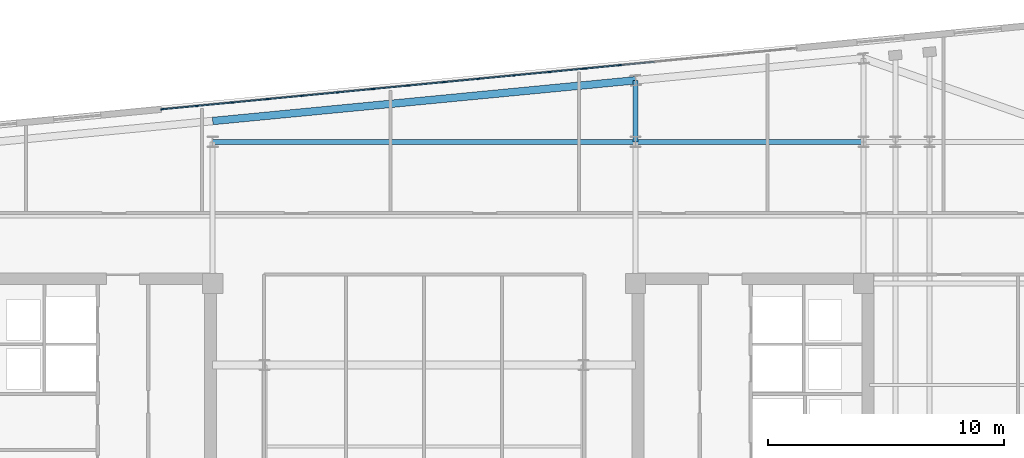
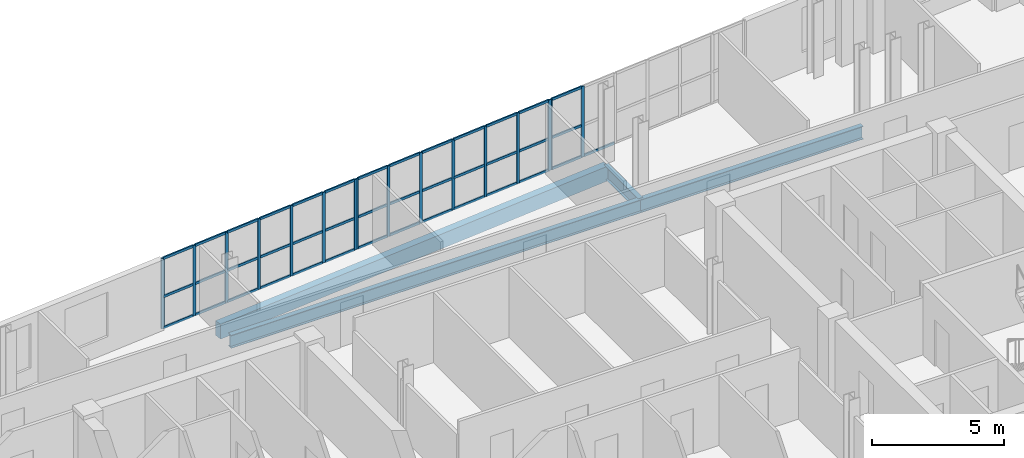
# One storey, part 3 of 11: 56 members, 4 beams, 3 elements without a shape of their own.
"""IFC4 building model written with IfcOpenShell, lengths in metres."""

from ifc_helpers import new_model, si_unit, direction, frame, origin, origin_2d, place, context, subcontext, project, spatial, rectangle, i_section, extrude, material, layer, layer_set, material_profile, profile_set, type_object, element, aggregate, save


model = new_model("IFC4")

# Units and contexts
model_context = context("Model", 3, precision=1e-05, world=origin(), true_north=direction((0.0, 1.0)))
body_context = subcontext(model_context, "Body", "Model", "MODEL_VIEW")
ifc_project = project(units=[si_unit("LENGTHUNIT", "METRE"), si_unit("AREAUNIT", "SQUARE_METRE"), si_unit("VOLUMEUNIT", "CUBIC_METRE"), si_unit("PLANEANGLEUNIT", "RADIAN"), si_unit("MASSUNIT", "GRAM", prefix="KILO")], contexts=[model_context])

# Site, building, storey
site_placement = place(None, origin())
site = spatial("IfcSite", under=ifc_project, at=site_placement, CompositionType="ELEMENT")
building_placement = place(site_placement, origin())
building = spatial("IfcBuilding", under=site, at=building_placement, Name="Velakula Bourse", CompositionType="ELEMENT")
storey_placement = place(building_placement, frame((0.0, 0.0, 279.300048828125)))
storey = spatial("IfcBuildingStorey", under=building, at=storey_placement, Name="L76", CompositionType="ELEMENT", Elevation=279.300048828125)

# Beams
ifc_material_1 = material(Name="Steel IS 2062 Grade 350 (E350)", Category="steel")
ifc_material_profile_1 = material_profile(ifc_material_1, i_section(OverallWidth=0.2099609375, OverallDepth=0.60009765625, WebThickness=0.011962890625, FlangeThickness=0.020751953125, at=origin_2d()), Name="Steel IS 2062 Grade 350 (E350)")
ifc_profile_set_1 = profile_set([ifc_material_profile_1], Name="Steel IS 2062 Grade 350 (E350)")
beam_type_1 = type_object("IfcBeamType", Name="BM-GRD-600L", PredefinedType="BEAM", material=ifc_profile_set_1)
beam_1_placement = place(storey_placement, frame((-8.949951171875, 14.60009765625, -0.47998046875), z_axis=(1.0, 0.0, 0.0), x_axis=(0.0, 1.0, 0.0)))
element("IfcBeam", 1, at=beam_1_placement, inside=storey, type_object=beam_type_1, Name="L76 Fulcrum Grid Girder FLC-N2", PredefinedType="BEAM", context=body_context, shape_type="SweptSolid", body=[
    extrude(i_section(OverallWidth=0.2099609375, OverallDepth=0.60009765625, WebThickness=0.011962890625, FlangeThickness=0.020751953125, at=origin_2d()), origin(), (0.0, 0.0, 1.0), 17.89990234375),
])
beam_2_placement = place(storey_placement, frame((8.949951171875, 14.60009765625, -0.47998046875), z_axis=(1.0, 0.0, 0.0), x_axis=(0.0, 1.0, 0.0)))
element("IfcBeam", 2, at=beam_2_placement, inside=storey, type_object=beam_type_1, Name="L76 Fulcrum Grid Girder FLC-N3", PredefinedType="BEAM", context=body_context, shape_type="SweptSolid", body=[
    extrude(i_section(OverallWidth=0.2099609375, OverallDepth=0.60009765625, WebThickness=0.011962890625, FlangeThickness=0.020751953125, at=origin_2d()), origin(), (0.0, 0.0, 1.0), 9.650146484375),
])
beam_3_placement = place(storey_placement, frame((8.949951171875, 14.60009765625, -0.47998046875), z_axis=(0.0, 1.0, 0.0), x_axis=(-1.0, 0.0, 0.0)))
element("IfcBeam", 3, at=beam_3_placement, inside=storey, type_object=beam_type_1, Name="L76 Perimeter Tie Girder N3", PredefinedType="BEAM", context=body_context, shape_type="SweptSolid", body=[
    extrude(i_section(OverallWidth=0.2099609375, OverallDepth=0.60009765625, WebThickness=0.011962890625, FlangeThickness=0.020751953125, at=origin_2d()), origin(), (0.0, 0.0, 1.0), 2.6044921875),
])

# Curtain wall, members
ifc_material_2 = material(Name="Anodised bronze architectural aluminium", Category="aluminium")
ifc_layer = layer(ifc_material_2, 0.1298828125, Name="Anodised bronze architectural aluminium", Category="aluminium")
ifc_layer_set = layer_set([ifc_layer], Name="Anodised bronze architectural aluminium")
curtain_wall_type = type_object("IfcCurtainWallType", Name="CW-OB1", PredefinedType="NOTDEFINED", material=ifc_layer_set)
curtain_wall_1_placement = place(storey_placement, origin())
curtain_wall_1 = element("IfcCurtainWall", 4, at=curtain_wall_1_placement, inside=storey, type_object=curtain_wall_type, Name="L76 Public Observation Panoramic Curtain Wall B2", PredefinedType="NOTDEFINED")
ifc_material_profile_2 = material_profile(ifc_material_2, rectangle(XDim=0.06005859375, YDim=0.1298828125, at=origin_2d()), Name="Anodised bronze architectural aluminium")
ifc_profile_set_2 = profile_set([ifc_material_profile_2], Name="Anodised bronze architectural aluminium")
member_type_1 = type_object("IfcMemberType", Name="MUL-CW-OB1", PredefinedType="MULLION", material=ifc_profile_set_2)
member_1_placement = place(storey_placement, frame((-11.090087890625, 15.978271484375, 0.0), z_axis=(0.0, 0.0, 1.0), x_axis=(-0.095845153814, 0.995396256016, 0.0)))
member_1 = element("IfcMember", 5, at=member_1_placement, type_object=member_type_1, Name="CW-OB1 mullion 1", PredefinedType="MULLION", context=body_context, shape_type="SweptSolid", body=[
    extrude(rectangle(XDim=0.06005859375, YDim=0.1298828125, at=origin_2d()), origin(), (0.0, 0.0, 1.0), 3.25),
])
member_2_placement = place(storey_placement, frame((-9.626708984375, 16.119140625, 0.0), z_axis=(0.0, 0.0, 1.0), x_axis=(-0.095845153814, 0.995396256016, 0.0)))
member_2 = element("IfcMember", 6, at=member_2_placement, type_object=member_type_1, Name="CW-OB1 mullion 2", PredefinedType="MULLION", context=body_context, shape_type="SweptSolid", body=[
    extrude(rectangle(XDim=0.06005859375, YDim=0.1298828125, at=origin_2d()), origin(), (0.0, 0.0, 1.0), 3.25),
])
member_3_placement = place(storey_placement, frame((-8.1337890625, 16.262939453125, 0.0), z_axis=(0.0, 0.0, 1.0), x_axis=(-0.095845153814, 0.995396256016, 0.0)))
member_3 = element("IfcMember", 7, at=member_3_placement, type_object=member_type_1, Name="CW-OB1 mullion 3", PredefinedType="MULLION", context=body_context, shape_type="SweptSolid", body=[
    extrude(rectangle(XDim=0.06005859375, YDim=0.1298828125, at=origin_2d()), origin(), (0.0, 0.0, 1.0), 3.25),
])
member_4_placement = place(storey_placement, frame((-6.640625, 16.406494140625, 0.0), z_axis=(0.0, 0.0, 1.0), x_axis=(-0.095845153814, 0.995396256016, 0.0)))
member_4 = element("IfcMember", 8, at=member_4_placement, type_object=member_type_1, Name="CW-OB1 mullion 4", PredefinedType="MULLION", context=body_context, shape_type="SweptSolid", body=[
    extrude(rectangle(XDim=0.06005859375, YDim=0.1298828125, at=origin_2d()), origin(), (0.0, 0.0, 1.0), 3.25),
])
member_5_placement = place(storey_placement, frame((-5.1474609375, 16.55029296875, 0.0), z_axis=(0.0, 0.0, 1.0), x_axis=(-0.095845153814, 0.995396256016, 0.0)))
member_5 = element("IfcMember", 9, at=member_5_placement, type_object=member_type_1, Name="CW-OB1 mullion 5", PredefinedType="MULLION", context=body_context, shape_type="SweptSolid", body=[
    extrude(rectangle(XDim=0.06005859375, YDim=0.1298828125, at=origin_2d()), origin(), (0.0, 0.0, 1.0), 3.25),
])
member_6_placement = place(storey_placement, frame((-3.654541015625, 16.694091796875, 0.0), z_axis=(0.0, 0.0, 1.0), x_axis=(-0.095845153814, 0.995396256016, 0.0)))
member_6 = element("IfcMember", 10, at=member_6_placement, type_object=member_type_1, Name="CW-OB1 mullion 6", PredefinedType="MULLION", context=body_context, shape_type="SweptSolid", body=[
    extrude(rectangle(XDim=0.06005859375, YDim=0.1298828125, at=origin_2d()), origin(), (0.0, 0.0, 1.0), 3.25),
])
member_7_placement = place(storey_placement, frame((-2.191162109375, 16.8349609375, 0.0), z_axis=(0.0, 0.0, 1.0), x_axis=(-0.095845153814, 0.995396256016, 0.0)))
member_7 = element("IfcMember", 11, at=member_7_placement, type_object=member_type_1, Name="CW-OB1 mullion 7", PredefinedType="MULLION", context=body_context, shape_type="SweptSolid", body=[
    extrude(rectangle(XDim=0.06005859375, YDim=0.1298828125, at=origin_2d()), origin(), (0.0, 0.0, 1.0), 3.25),
])

curtain_wall_2_placement = place(storey_placement, origin())
curtain_wall_2 = element("IfcCurtainWall", 12, at=curtain_wall_2_placement, inside=storey, type_object=curtain_wall_type, Name="L76 Public Observation Panoramic Curtain Wall B3", PredefinedType="NOTDEFINED")
member_8_placement = place(storey_placement, frame((-2.131591796875, 16.8408203125, 0.0), z_axis=(0.0, 0.0, 1.0), x_axis=(-0.095844093769, 0.995396358085, 0.0)))
member_8 = element("IfcMember", 13, at=member_8_placement, type_object=member_type_1, Name="CW-OB1 mullion 1", PredefinedType="MULLION", context=body_context, shape_type="SweptSolid", body=[
    extrude(rectangle(XDim=0.06005859375, YDim=0.1298828125, at=origin_2d()), origin(), (0.0, 0.0, 1.0), 3.25),
])
member_9_placement = place(storey_placement, frame((-0.668212890625, 16.981689453125, 0.0), z_axis=(0.0, 0.0, 1.0), x_axis=(-0.095844093769, 0.995396358085, 0.0)))
member_9 = element("IfcMember", 14, at=member_9_placement, type_object=member_type_1, Name="CW-OB1 mullion 2", PredefinedType="MULLION", context=body_context, shape_type="SweptSolid", body=[
    extrude(rectangle(XDim=0.06005859375, YDim=0.1298828125, at=origin_2d()), origin(), (0.0, 0.0, 1.0), 3.25),
])
member_10_placement = place(storey_placement, frame((0.82470703125, 17.12548828125, 0.0), z_axis=(0.0, 0.0, 1.0), x_axis=(-0.095844093769, 0.995396358085, 0.0)))
member_10 = element("IfcMember", 15, at=member_10_placement, type_object=member_type_1, Name="CW-OB1 mullion 3", PredefinedType="MULLION", context=body_context, shape_type="SweptSolid", body=[
    extrude(rectangle(XDim=0.06005859375, YDim=0.1298828125, at=origin_2d()), origin(), (0.0, 0.0, 1.0), 3.25),
])
member_11_placement = place(storey_placement, frame((2.31787109375, 17.269287109375, 0.0), z_axis=(0.0, 0.0, 1.0), x_axis=(-0.095844093769, 0.995396358085, 0.0)))
member_11 = element("IfcMember", 16, at=member_11_placement, type_object=member_type_1, Name="CW-OB1 mullion 4", PredefinedType="MULLION", context=body_context, shape_type="SweptSolid", body=[
    extrude(rectangle(XDim=0.06005859375, YDim=0.1298828125, at=origin_2d()), origin(), (0.0, 0.0, 1.0), 3.25),
])
member_12_placement = place(storey_placement, frame((3.81103515625, 17.4130859375, 0.0), z_axis=(0.0, 0.0, 1.0), x_axis=(-0.095844093769, 0.995396358085, 0.0)))
member_12 = element("IfcMember", 17, at=member_12_placement, type_object=member_type_1, Name="CW-OB1 mullion 5", PredefinedType="MULLION", context=body_context, shape_type="SweptSolid", body=[
    extrude(rectangle(XDim=0.06005859375, YDim=0.1298828125, at=origin_2d()), origin(), (0.0, 0.0, 1.0), 3.25),
])
member_13_placement = place(storey_placement, frame((5.30419921875, 17.556640625, 0.0), z_axis=(0.0, 0.0, 1.0), x_axis=(-0.095844093769, 0.995396358085, 0.0)))
member_13 = element("IfcMember", 18, at=member_13_placement, type_object=member_type_1, Name="CW-OB1 mullion 6", PredefinedType="MULLION", context=body_context, shape_type="SweptSolid", body=[
    extrude(rectangle(XDim=0.06005859375, YDim=0.1298828125, at=origin_2d()), origin(), (0.0, 0.0, 1.0), 3.25),
])
member_14_placement = place(storey_placement, frame((6.767333984375, 17.697509765625, 0.0), z_axis=(0.0, 0.0, 1.0), x_axis=(-0.095844093769, 0.995396358085, 0.0)))
member_14 = element("IfcMember", 19, at=member_14_placement, type_object=member_type_1, Name="CW-OB1 mullion 7", PredefinedType="MULLION", context=body_context, shape_type="SweptSolid", body=[
    extrude(rectangle(XDim=0.06005859375, YDim=0.1298828125, at=origin_2d()), origin(), (0.0, 0.0, 1.0), 3.25),
])

curtain_wall_3_placement = place(storey_placement, origin())
curtain_wall_3 = element("IfcCurtainWall", 20, at=curtain_wall_3_placement, inside=storey, type_object=curtain_wall_type, Name="L76 Public Observation Panoramic Curtain Wall B4", PredefinedType="NOTDEFINED")
member_15_placement = place(storey_placement, frame((6.8271484375, 17.703369140625, 0.0), z_axis=(0.0, 0.0, 1.0), x_axis=(-0.095844093769, 0.995396358085, 0.0)))
member_15 = element("IfcMember", 21, at=member_15_placement, type_object=member_type_1, Name="CW-OB1 mullion 1", PredefinedType="MULLION", context=body_context, shape_type="SweptSolid", body=[
    extrude(rectangle(XDim=0.06005859375, YDim=0.1298828125, at=origin_2d()), origin(), (0.0, 0.0, 1.0), 3.25),
])
member_16_placement = place(storey_placement, frame((8.290283203125, 17.84423828125, 0.0), z_axis=(0.0, 0.0, 1.0), x_axis=(-0.095844093769, 0.995396358085, 0.0)))
member_16 = element("IfcMember", 22, at=member_16_placement, type_object=member_type_1, Name="CW-OB1 mullion 2", PredefinedType="MULLION", context=body_context, shape_type="SweptSolid", body=[
    extrude(rectangle(XDim=0.06005859375, YDim=0.1298828125, at=origin_2d()), origin(), (0.0, 0.0, 1.0), 3.25),
])

# Beam
ifc_material_3 = material(Name="Precast concrete M45 (fck 45 MPa)", Category="concrete")
ifc_material_profile_3 = material_profile(ifc_material_3, rectangle(XDim=0.320068359375, YDim=0.679931640625, at=origin_2d()), Name="Precast concrete M45 (fck 45 MPa)")
ifc_profile_set_3 = profile_set([ifc_material_profile_3], Name="Precast concrete M45 (fck 45 MPa)")
beam_type_2 = type_object("IfcBeamType", Name="SPN-BRICK-680", PredefinedType="SPANDREL", material=ifc_profile_set_3)
beam_4_placement = place(storey_placement, frame((-8.949951171875, 15.48095703125, -0.52001953125), z_axis=(0.995395836254, 0.095849513134, 0.0), x_axis=(-0.095849513134, 0.995395836254, 0.0)))
element("IfcBeam", 23, at=beam_4_placement, inside=storey, type_object=beam_type_2, Name="L76 Brick-Faced Precast Spandrel N2-N3", PredefinedType="SPANDREL", context=body_context, shape_type="SweptSolid", body=[
    extrude(rectangle(XDim=0.320068359375, YDim=0.679931640625, at=origin_2d()), origin(), (0.0, 0.0, 1.0), 17.982666015625),
])

# Member
ifc_material_profile_4 = material_profile(ifc_material_2, rectangle(XDim=0.06005859375, YDim=0.114990234375, at=origin_2d()), Name="Anodised bronze architectural aluminium")
ifc_profile_set_4 = profile_set([ifc_material_profile_4], Name="Anodised bronze architectural aluminium")
member_type_2 = type_object("IfcMemberType", Name="TRN-CW-OB1", PredefinedType="USERDEFINED", material=ifc_profile_set_4)
member_17_placement = place(storey_placement, frame((-11.06005859375, 15.98095703125, 0.030029296875), z_axis=(0.995387428813, 0.095936784197, 0.0), x_axis=(-0.095936784197, 0.995387428813, 0.0)))
member_17 = element("IfcMember", 24, at=member_17_placement, type_object=member_type_2, Name="CW-OB1 transom 1.1", ObjectType="TRANSOM", PredefinedType="USERDEFINED", context=body_context, shape_type="SweptSolid", body=[
    extrude(rectangle(XDim=0.06005859375, YDim=0.114990234375, at=origin_2d()), origin(), (0.0, 0.0, 1.0), 1.409912109375),
])

member_18_placement = place(storey_placement, frame((-11.06005859375, 15.98095703125, 1.46240234375), z_axis=(0.995387428813, 0.095936784197, 0.0), x_axis=(-0.095936784197, 0.995387428813, 0.0)))
member_18 = element("IfcMember", 25, at=member_18_placement, type_object=member_type_2, Name="CW-OB1 transom 1.2", ObjectType="TRANSOM", PredefinedType="USERDEFINED", context=body_context, shape_type="SweptSolid", body=[
    extrude(rectangle(XDim=0.06005859375, YDim=0.114990234375, at=origin_2d()), origin(), (0.0, 0.0, 1.0), 1.409912109375),
])

member_19_placement = place(storey_placement, frame((-11.06005859375, 15.98095703125, 3.219970703125), z_axis=(0.995387428813, 0.095936784197, 0.0), x_axis=(-0.095936784197, 0.995387428813, 0.0)))
member_19 = element("IfcMember", 26, at=member_19_placement, type_object=member_type_2, Name="CW-OB1 transom 1.3", ObjectType="TRANSOM", PredefinedType="USERDEFINED", context=body_context, shape_type="SweptSolid", body=[
    extrude(rectangle(XDim=0.06005859375, YDim=0.114990234375, at=origin_2d()), origin(), (0.0, 0.0, 1.0), 1.409912109375),
])

member_20_placement = place(storey_placement, frame((-9.596923828125, 16.121826171875, 0.030029296875), z_axis=(0.995385079392, 0.095961157373, 0.0), x_axis=(-0.095961157373, 0.995385079392, 0.0)))
member_20 = element("IfcMember", 27, at=member_20_placement, type_object=member_type_2, Name="CW-OB1 transom 2.1", ObjectType="TRANSOM", PredefinedType="USERDEFINED", context=body_context, shape_type="SweptSolid", body=[
    extrude(rectangle(XDim=0.06005859375, YDim=0.114990234375, at=origin_2d()), origin(), (0.0, 0.0, 1.0), 1.43994140625),
])

member_21_placement = place(storey_placement, frame((-9.596923828125, 16.121826171875, 1.46240234375), z_axis=(0.995385079392, 0.095961157373, 0.0), x_axis=(-0.095961157373, 0.995385079392, 0.0)))
member_21 = element("IfcMember", 28, at=member_21_placement, type_object=member_type_2, Name="CW-OB1 transom 2.2", ObjectType="TRANSOM", PredefinedType="USERDEFINED", context=body_context, shape_type="SweptSolid", body=[
    extrude(rectangle(XDim=0.06005859375, YDim=0.114990234375, at=origin_2d()), origin(), (0.0, 0.0, 1.0), 1.43994140625),
])

member_22_placement = place(storey_placement, frame((-9.596923828125, 16.121826171875, 3.219970703125), z_axis=(0.995385079392, 0.095961157373, 0.0), x_axis=(-0.095961157373, 0.995385079392, 0.0)))
member_22 = element("IfcMember", 29, at=member_22_placement, type_object=member_type_2, Name="CW-OB1 transom 2.3", ObjectType="TRANSOM", PredefinedType="USERDEFINED", context=body_context, shape_type="SweptSolid", body=[
    extrude(rectangle(XDim=0.06005859375, YDim=0.114990234375, at=origin_2d()), origin(), (0.0, 0.0, 1.0), 1.43994140625),
])

member_23_placement = place(storey_placement, frame((-8.103759765625, 16.265625, 0.030029296875), z_axis=(0.995385079392, 0.095961157373, 0.0), x_axis=(-0.095961157373, 0.995385079392, 0.0)))
member_23 = element("IfcMember", 30, at=member_23_placement, type_object=member_type_2, Name="CW-OB1 transom 3.1", ObjectType="TRANSOM", PredefinedType="USERDEFINED", context=body_context, shape_type="SweptSolid", body=[
    extrude(rectangle(XDim=0.06005859375, YDim=0.114990234375, at=origin_2d()), origin(), (0.0, 0.0, 1.0), 1.43994140625),
])

member_24_placement = place(storey_placement, frame((-8.103759765625, 16.265625, 1.46240234375), z_axis=(0.995385079392, 0.095961157373, 0.0), x_axis=(-0.095961157373, 0.995385079392, 0.0)))
member_24 = element("IfcMember", 31, at=member_24_placement, type_object=member_type_2, Name="CW-OB1 transom 3.2", ObjectType="TRANSOM", PredefinedType="USERDEFINED", context=body_context, shape_type="SweptSolid", body=[
    extrude(rectangle(XDim=0.06005859375, YDim=0.114990234375, at=origin_2d()), origin(), (0.0, 0.0, 1.0), 1.43994140625),
])

member_25_placement = place(storey_placement, frame((-8.103759765625, 16.265625, 3.219970703125), z_axis=(0.995385079392, 0.095961157373, 0.0), x_axis=(-0.095961157373, 0.995385079392, 0.0)))
member_25 = element("IfcMember", 32, at=member_25_placement, type_object=member_type_2, Name="CW-OB1 transom 3.3", ObjectType="TRANSOM", PredefinedType="USERDEFINED", context=body_context, shape_type="SweptSolid", body=[
    extrude(rectangle(XDim=0.06005859375, YDim=0.114990234375, at=origin_2d()), origin(), (0.0, 0.0, 1.0), 1.43994140625),
])

member_26_placement = place(storey_placement, frame((-6.61083984375, 16.409423828125, 0.030029296875), z_axis=(0.995385079392, 0.095961157373, 0.0), x_axis=(-0.095961157373, 0.995385079392, 0.0)))
member_26 = element("IfcMember", 33, at=member_26_placement, type_object=member_type_2, Name="CW-OB1 transom 4.1", ObjectType="TRANSOM", PredefinedType="USERDEFINED", context=body_context, shape_type="SweptSolid", body=[
    extrude(rectangle(XDim=0.06005859375, YDim=0.114990234375, at=origin_2d()), origin(), (0.0, 0.0, 1.0), 1.43994140625),
])

member_27_placement = place(storey_placement, frame((-6.61083984375, 16.409423828125, 1.46240234375), z_axis=(0.995385079392, 0.095961157373, 0.0), x_axis=(-0.095961157373, 0.995385079392, 0.0)))
member_27 = element("IfcMember", 34, at=member_27_placement, type_object=member_type_2, Name="CW-OB1 transom 4.2", ObjectType="TRANSOM", PredefinedType="USERDEFINED", context=body_context, shape_type="SweptSolid", body=[
    extrude(rectangle(XDim=0.06005859375, YDim=0.114990234375, at=origin_2d()), origin(), (0.0, 0.0, 1.0), 1.43994140625),
])

member_28_placement = place(storey_placement, frame((-6.61083984375, 16.409423828125, 3.219970703125), z_axis=(0.995385079392, 0.095961157373, 0.0), x_axis=(-0.095961157373, 0.995385079392, 0.0)))
member_28 = element("IfcMember", 35, at=member_28_placement, type_object=member_type_2, Name="CW-OB1 transom 4.3", ObjectType="TRANSOM", PredefinedType="USERDEFINED", context=body_context, shape_type="SweptSolid", body=[
    extrude(rectangle(XDim=0.06005859375, YDim=0.114990234375, at=origin_2d()), origin(), (0.0, 0.0, 1.0), 1.43994140625),
])

member_29_placement = place(storey_placement, frame((-5.11767578125, 16.55322265625, 0.030029296875), z_axis=(0.99540125991, 0.095793171836, 0.0), x_axis=(-0.095793171836, 0.99540125991, 0.0)))
member_29 = element("IfcMember", 36, at=member_29_placement, type_object=member_type_2, Name="CW-OB1 transom 5.1", ObjectType="TRANSOM", PredefinedType="USERDEFINED", context=body_context, shape_type="SweptSolid", body=[
    extrude(rectangle(XDim=0.06005859375, YDim=0.114990234375, at=origin_2d()), origin(), (0.0, 0.0, 1.0), 1.43994140625),
])

member_30_placement = place(storey_placement, frame((-5.11767578125, 16.55322265625, 1.46240234375), z_axis=(0.99540125991, 0.095793171836, 0.0), x_axis=(-0.095793171836, 0.99540125991, 0.0)))
member_30 = element("IfcMember", 37, at=member_30_placement, type_object=member_type_2, Name="CW-OB1 transom 5.2", ObjectType="TRANSOM", PredefinedType="USERDEFINED", context=body_context, shape_type="SweptSolid", body=[
    extrude(rectangle(XDim=0.06005859375, YDim=0.114990234375, at=origin_2d()), origin(), (0.0, 0.0, 1.0), 1.43994140625),
])

member_31_placement = place(storey_placement, frame((-5.11767578125, 16.55322265625, 3.219970703125), z_axis=(0.99540125991, 0.095793171836, 0.0), x_axis=(-0.095793171836, 0.99540125991, 0.0)))
member_31 = element("IfcMember", 38, at=member_31_placement, type_object=member_type_2, Name="CW-OB1 transom 5.3", ObjectType="TRANSOM", PredefinedType="USERDEFINED", context=body_context, shape_type="SweptSolid", body=[
    extrude(rectangle(XDim=0.06005859375, YDim=0.114990234375, at=origin_2d()), origin(), (0.0, 0.0, 1.0), 1.43994140625),
])

member_32_placement = place(storey_placement, frame((-3.62451171875, 16.697021484375, 0.030029296875), z_axis=(0.995403951146, 0.095765202676, 0.0), x_axis=(-0.095765202676, 0.995403951146, 0.0)))
member_32 = element("IfcMember", 39, at=member_32_placement, type_object=member_type_2, Name="CW-OB1 transom 6.1", ObjectType="TRANSOM", PredefinedType="USERDEFINED", context=body_context, shape_type="SweptSolid", body=[
    extrude(rectangle(XDim=0.06005859375, YDim=0.114990234375, at=origin_2d()), origin(), (0.0, 0.0, 1.0), 1.409912109375),
])

member_33_placement = place(storey_placement, frame((-3.62451171875, 16.697021484375, 1.46240234375), z_axis=(0.995403951146, 0.095765202676, 0.0), x_axis=(-0.095765202676, 0.995403951146, 0.0)))
member_33 = element("IfcMember", 40, at=member_33_placement, type_object=member_type_2, Name="CW-OB1 transom 6.2", ObjectType="TRANSOM", PredefinedType="USERDEFINED", context=body_context, shape_type="SweptSolid", body=[
    extrude(rectangle(XDim=0.06005859375, YDim=0.114990234375, at=origin_2d()), origin(), (0.0, 0.0, 1.0), 1.409912109375),
])

member_34_placement = place(storey_placement, frame((-3.62451171875, 16.697021484375, 3.219970703125), z_axis=(0.995403951146, 0.095765202676, 0.0), x_axis=(-0.095765202676, 0.995403951146, 0.0)))
member_34 = element("IfcMember", 41, at=member_34_placement, type_object=member_type_2, Name="CW-OB1 transom 6.3", ObjectType="TRANSOM", PredefinedType="USERDEFINED", context=body_context, shape_type="SweptSolid", body=[
    extrude(rectangle(XDim=0.06005859375, YDim=0.114990234375, at=origin_2d()), origin(), (0.0, 0.0, 1.0), 1.409912109375),
])

aggregate(curtain_wall_1, [member_1, member_2, member_3, member_4, member_5, member_6, member_7, member_17, member_18, member_19, member_20, member_21, member_22, member_23, member_24, member_25, member_26, member_27, member_28, member_29, member_30, member_31, member_32, member_33, member_34])

member_35_placement = place(storey_placement, frame((-2.1015625, 16.84375, 0.030029296875), z_axis=(0.995403951146, 0.095765202676, 0.0), x_axis=(-0.095765202676, 0.995403951146, 0.0)))
member_35 = element("IfcMember", 42, at=member_35_placement, type_object=member_type_2, Name="CW-OB1 transom 1.1", ObjectType="TRANSOM", PredefinedType="USERDEFINED", context=body_context, shape_type="SweptSolid", body=[
    extrude(rectangle(XDim=0.06005859375, YDim=0.114990234375, at=origin_2d()), origin(), (0.0, 0.0, 1.0), 1.409912109375),
])

member_36_placement = place(storey_placement, frame((-2.1015625, 16.84375, 1.46240234375), z_axis=(0.995403951146, 0.095765202676, 0.0), x_axis=(-0.095765202676, 0.995403951146, 0.0)))
member_36 = element("IfcMember", 43, at=member_36_placement, type_object=member_type_2, Name="CW-OB1 transom 1.2", ObjectType="TRANSOM", PredefinedType="USERDEFINED", context=body_context, shape_type="SweptSolid", body=[
    extrude(rectangle(XDim=0.06005859375, YDim=0.114990234375, at=origin_2d()), origin(), (0.0, 0.0, 1.0), 1.409912109375),
])

member_37_placement = place(storey_placement, frame((-2.1015625, 16.84375, 3.219970703125), z_axis=(0.995403951146, 0.095765202676, 0.0), x_axis=(-0.095765202676, 0.995403951146, 0.0)))
member_37 = element("IfcMember", 44, at=member_37_placement, type_object=member_type_2, Name="CW-OB1 transom 1.3", ObjectType="TRANSOM", PredefinedType="USERDEFINED", context=body_context, shape_type="SweptSolid", body=[
    extrude(rectangle(XDim=0.06005859375, YDim=0.114990234375, at=origin_2d()), origin(), (0.0, 0.0, 1.0), 1.409912109375),
])

member_38_placement = place(storey_placement, frame((-0.638427734375, 16.984619140625, 0.030029296875), z_axis=(0.99540125991, 0.095793171836, 0.0), x_axis=(-0.095793171836, 0.99540125991, 0.0)))
member_38 = element("IfcMember", 45, at=member_38_placement, type_object=member_type_2, Name="CW-OB1 transom 2.1", ObjectType="TRANSOM", PredefinedType="USERDEFINED", context=body_context, shape_type="SweptSolid", body=[
    extrude(rectangle(XDim=0.06005859375, YDim=0.114990234375, at=origin_2d()), origin(), (0.0, 0.0, 1.0), 1.43994140625),
])

member_39_placement = place(storey_placement, frame((-0.638427734375, 16.984619140625, 1.46240234375), z_axis=(0.99540125991, 0.095793171836, 0.0), x_axis=(-0.095793171836, 0.99540125991, 0.0)))
member_39 = element("IfcMember", 46, at=member_39_placement, type_object=member_type_2, Name="CW-OB1 transom 2.2", ObjectType="TRANSOM", PredefinedType="USERDEFINED", context=body_context, shape_type="SweptSolid", body=[
    extrude(rectangle(XDim=0.06005859375, YDim=0.114990234375, at=origin_2d()), origin(), (0.0, 0.0, 1.0), 1.43994140625),
])

member_40_placement = place(storey_placement, frame((-0.638427734375, 16.984619140625, 3.219970703125), z_axis=(0.99540125991, 0.095793171836, 0.0), x_axis=(-0.095793171836, 0.99540125991, 0.0)))
member_40 = element("IfcMember", 47, at=member_40_placement, type_object=member_type_2, Name="CW-OB1 transom 2.3", ObjectType="TRANSOM", PredefinedType="USERDEFINED", context=body_context, shape_type="SweptSolid", body=[
    extrude(rectangle(XDim=0.06005859375, YDim=0.114990234375, at=origin_2d()), origin(), (0.0, 0.0, 1.0), 1.43994140625),
])

member_41_placement = place(storey_placement, frame((0.854736328125, 17.12841796875, 0.030029296875), z_axis=(0.99540125991, 0.095793171836, 0.0), x_axis=(-0.095793171836, 0.99540125991, 0.0)))
member_41 = element("IfcMember", 48, at=member_41_placement, type_object=member_type_2, Name="CW-OB1 transom 3.1", ObjectType="TRANSOM", PredefinedType="USERDEFINED", context=body_context, shape_type="SweptSolid", body=[
    extrude(rectangle(XDim=0.06005859375, YDim=0.114990234375, at=origin_2d()), origin(), (0.0, 0.0, 1.0), 1.43994140625),
])

member_42_placement = place(storey_placement, frame((0.854736328125, 17.12841796875, 1.46240234375), z_axis=(0.99540125991, 0.095793171836, 0.0), x_axis=(-0.095793171836, 0.99540125991, 0.0)))
member_42 = element("IfcMember", 49, at=member_42_placement, type_object=member_type_2, Name="CW-OB1 transom 3.2", ObjectType="TRANSOM", PredefinedType="USERDEFINED", context=body_context, shape_type="SweptSolid", body=[
    extrude(rectangle(XDim=0.06005859375, YDim=0.114990234375, at=origin_2d()), origin(), (0.0, 0.0, 1.0), 1.43994140625),
])

member_43_placement = place(storey_placement, frame((0.854736328125, 17.12841796875, 3.219970703125), z_axis=(0.99540125991, 0.095793171836, 0.0), x_axis=(-0.095793171836, 0.99540125991, 0.0)))
member_43 = element("IfcMember", 50, at=member_43_placement, type_object=member_type_2, Name="CW-OB1 transom 3.3", ObjectType="TRANSOM", PredefinedType="USERDEFINED", context=body_context, shape_type="SweptSolid", body=[
    extrude(rectangle(XDim=0.06005859375, YDim=0.114990234375, at=origin_2d()), origin(), (0.0, 0.0, 1.0), 1.43994140625),
])

member_44_placement = place(storey_placement, frame((2.34765625, 17.27197265625, 0.030029296875), z_axis=(0.995386640238, 0.095944965663, 0.0), x_axis=(-0.095944965663, 0.995386640238, 0.0)))
member_44 = element("IfcMember", 51, at=member_44_placement, type_object=member_type_2, Name="CW-OB1 transom 4.1", ObjectType="TRANSOM", PredefinedType="USERDEFINED", context=body_context, shape_type="SweptSolid", body=[
    extrude(rectangle(XDim=0.06005859375, YDim=0.114990234375, at=origin_2d()), origin(), (0.0, 0.0, 1.0), 1.440185546875),
])

member_45_placement = place(storey_placement, frame((2.34765625, 17.27197265625, 1.46240234375), z_axis=(0.995386640238, 0.095944965663, 0.0), x_axis=(-0.095944965663, 0.995386640238, 0.0)))
member_45 = element("IfcMember", 52, at=member_45_placement, type_object=member_type_2, Name="CW-OB1 transom 4.2", ObjectType="TRANSOM", PredefinedType="USERDEFINED", context=body_context, shape_type="SweptSolid", body=[
    extrude(rectangle(XDim=0.06005859375, YDim=0.114990234375, at=origin_2d()), origin(), (0.0, 0.0, 1.0), 1.440185546875),
])

member_46_placement = place(storey_placement, frame((2.34765625, 17.27197265625, 3.219970703125), z_axis=(0.995386640238, 0.095944965663, 0.0), x_axis=(-0.095944965663, 0.995386640238, 0.0)))
member_46 = element("IfcMember", 53, at=member_46_placement, type_object=member_type_2, Name="CW-OB1 transom 4.3", ObjectType="TRANSOM", PredefinedType="USERDEFINED", context=body_context, shape_type="SweptSolid", body=[
    extrude(rectangle(XDim=0.06005859375, YDim=0.114990234375, at=origin_2d()), origin(), (0.0, 0.0, 1.0), 1.440185546875),
])

member_47_placement = place(storey_placement, frame((3.8408203125, 17.415771484375, 0.030029296875), z_axis=(0.995385079392, 0.095961157373, 0.0), x_axis=(-0.095961157373, 0.995385079392, 0.0)))
member_47 = element("IfcMember", 54, at=member_47_placement, type_object=member_type_2, Name="CW-OB1 transom 5.1", ObjectType="TRANSOM", PredefinedType="USERDEFINED", context=body_context, shape_type="SweptSolid", body=[
    extrude(rectangle(XDim=0.06005859375, YDim=0.114990234375, at=origin_2d()), origin(), (0.0, 0.0, 1.0), 1.43994140625),
])

member_48_placement = place(storey_placement, frame((3.8408203125, 17.415771484375, 1.46240234375), z_axis=(0.995385079392, 0.095961157373, 0.0), x_axis=(-0.095961157373, 0.995385079392, 0.0)))
member_48 = element("IfcMember", 55, at=member_48_placement, type_object=member_type_2, Name="CW-OB1 transom 5.2", ObjectType="TRANSOM", PredefinedType="USERDEFINED", context=body_context, shape_type="SweptSolid", body=[
    extrude(rectangle(XDim=0.06005859375, YDim=0.114990234375, at=origin_2d()), origin(), (0.0, 0.0, 1.0), 1.43994140625),
])

member_49_placement = place(storey_placement, frame((3.8408203125, 17.415771484375, 3.219970703125), z_axis=(0.995385079392, 0.095961157373, 0.0), x_axis=(-0.095961157373, 0.995385079392, 0.0)))
member_49 = element("IfcMember", 56, at=member_49_placement, type_object=member_type_2, Name="CW-OB1 transom 5.3", ObjectType="TRANSOM", PredefinedType="USERDEFINED", context=body_context, shape_type="SweptSolid", body=[
    extrude(rectangle(XDim=0.06005859375, YDim=0.114990234375, at=origin_2d()), origin(), (0.0, 0.0, 1.0), 1.43994140625),
])

member_50_placement = place(storey_placement, frame((5.333984375, 17.5595703125, 0.030029296875), z_axis=(0.995389022244, 0.095920250187, 0.0), x_axis=(-0.095920250187, 0.995389022244, 0.0)))
member_50 = element("IfcMember", 57, at=member_50_placement, type_object=member_type_2, Name="CW-OB1 transom 6.1", ObjectType="TRANSOM", PredefinedType="USERDEFINED", context=body_context, shape_type="SweptSolid", body=[
    extrude(rectangle(XDim=0.06005859375, YDim=0.114990234375, at=origin_2d()), origin(), (0.0, 0.0, 1.0), 1.41015625),
])

member_51_placement = place(storey_placement, frame((5.333984375, 17.5595703125, 1.46240234375), z_axis=(0.995389022244, 0.095920250187, 0.0), x_axis=(-0.095920250187, 0.995389022244, 0.0)))
member_51 = element("IfcMember", 58, at=member_51_placement, type_object=member_type_2, Name="CW-OB1 transom 6.2", ObjectType="TRANSOM", PredefinedType="USERDEFINED", context=body_context, shape_type="SweptSolid", body=[
    extrude(rectangle(XDim=0.06005859375, YDim=0.114990234375, at=origin_2d()), origin(), (0.0, 0.0, 1.0), 1.41015625),
])

member_52_placement = place(storey_placement, frame((5.333984375, 17.5595703125, 3.219970703125), z_axis=(0.995389022244, 0.095920250187, 0.0), x_axis=(-0.095920250187, 0.995389022244, 0.0)))
member_52 = element("IfcMember", 59, at=member_52_placement, type_object=member_type_2, Name="CW-OB1 transom 6.3", ObjectType="TRANSOM", PredefinedType="USERDEFINED", context=body_context, shape_type="SweptSolid", body=[
    extrude(rectangle(XDim=0.06005859375, YDim=0.114990234375, at=origin_2d()), origin(), (0.0, 0.0, 1.0), 1.41015625),
])

aggregate(curtain_wall_2, [member_8, member_9, member_10, member_11, member_12, member_13, member_14, member_35, member_36, member_37, member_38, member_39, member_40, member_41, member_42, member_43, member_44, member_45, member_46, member_47, member_48, member_49, member_50, member_51, member_52])

member_53_placement = place(storey_placement, frame((6.85693359375, 17.706298828125, 0.030029296875), z_axis=(0.995405538909, 0.095748697689, 0.0), x_axis=(-0.095748697689, 0.995405538909, 0.0)))
member_53 = element("IfcMember", 60, at=member_53_placement, type_object=member_type_2, Name="CW-OB1 transom 1.1", ObjectType="TRANSOM", PredefinedType="USERDEFINED", context=body_context, shape_type="SweptSolid", body=[
    extrude(rectangle(XDim=0.06005859375, YDim=0.114990234375, at=origin_2d()), origin(), (0.0, 0.0, 1.0), 1.41015625),
])

member_54_placement = place(storey_placement, frame((6.85693359375, 17.706298828125, 1.46240234375), z_axis=(0.995405538909, 0.095748697689, 0.0), x_axis=(-0.095748697689, 0.995405538909, 0.0)))
member_54 = element("IfcMember", 61, at=member_54_placement, type_object=member_type_2, Name="CW-OB1 transom 1.2", ObjectType="TRANSOM", PredefinedType="USERDEFINED", context=body_context, shape_type="SweptSolid", body=[
    extrude(rectangle(XDim=0.06005859375, YDim=0.114990234375, at=origin_2d()), origin(), (0.0, 0.0, 1.0), 1.41015625),
])

member_55_placement = place(storey_placement, frame((6.85693359375, 17.706298828125, 3.219970703125), z_axis=(0.995405538909, 0.095748697689, 0.0), x_axis=(-0.095748697689, 0.995405538909, 0.0)))
member_55 = element("IfcMember", 62, at=member_55_placement, type_object=member_type_2, Name="CW-OB1 transom 1.3", ObjectType="TRANSOM", PredefinedType="USERDEFINED", context=body_context, shape_type="SweptSolid", body=[
    extrude(rectangle(XDim=0.06005859375, YDim=0.114990234375, at=origin_2d()), origin(), (0.0, 0.0, 1.0), 1.41015625),
])

member_56_placement = place(storey_placement, frame((8.320068359375, 17.84716796875, 0.030029296875), z_axis=(0.99540125991, 0.095793171836, 0.0), x_axis=(-0.095793171836, 0.99540125991, 0.0)))
member_56 = element("IfcMember", 63, at=member_56_placement, type_object=member_type_2, Name="CW-OB1 transom 2.1", ObjectType="TRANSOM", PredefinedType="USERDEFINED", context=body_context, shape_type="SweptSolid", body=[
    extrude(rectangle(XDim=0.06005859375, YDim=0.114990234375, at=origin_2d()), origin(), (0.0, 0.0, 1.0), 1.43994140625),
])

aggregate(curtain_wall_3, [member_15, member_16, member_53, member_54, member_55, member_56])

save(model, "model.ifc")
